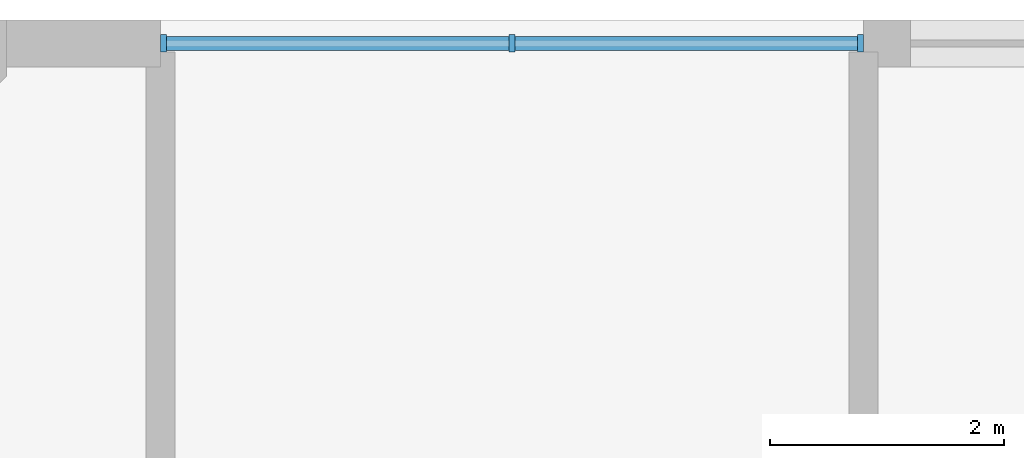
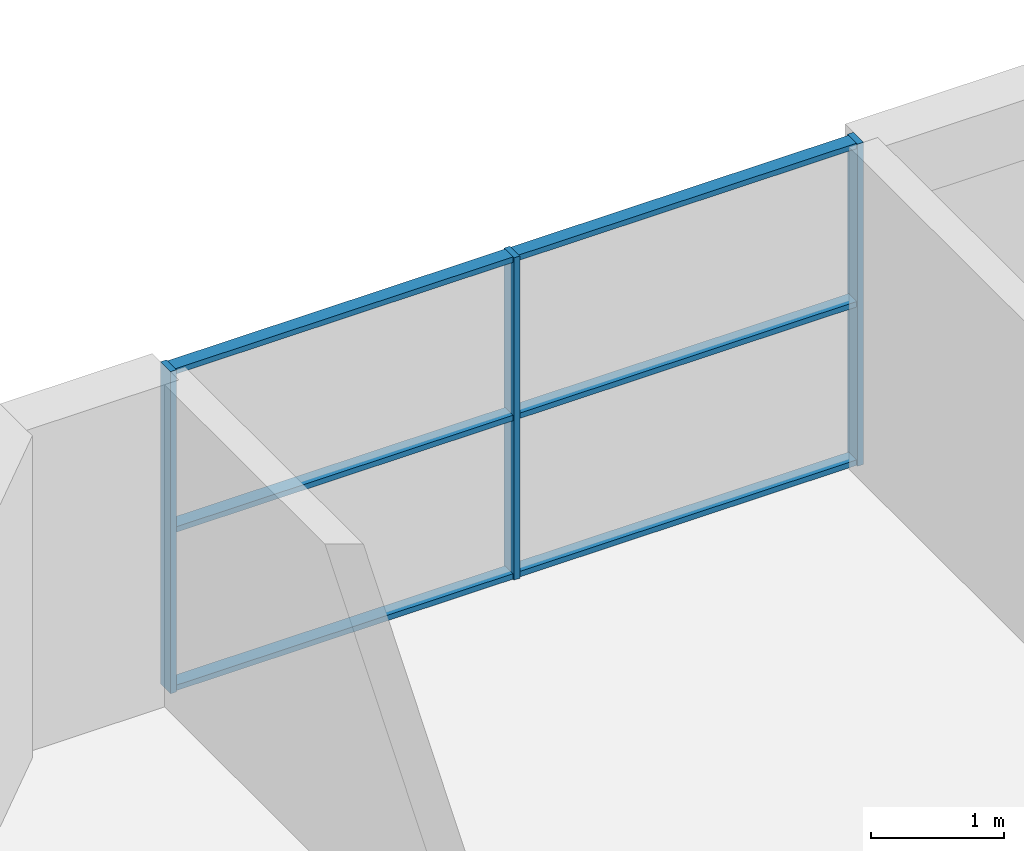
# One storey, part 2 of 13: 9 members, 1 element without a shape of its own.
"""IFC4 building model written with IfcOpenShell, lengths in metres."""

from ifc_helpers import new_model, si_unit, direction, frame, origin, origin_2d, place, context, subcontext, project, spatial, rectangle, extrude, material, layer, layer_set, material_profile, profile_set, type_object, element, aggregate, save


model = new_model("IFC4")

# Units and contexts
model_context = context("Model", 3, precision=1e-05, world=origin(), true_north=direction((0.0, 1.0)))
body_context = subcontext(model_context, "Body", "Model", "MODEL_VIEW")
ifc_project = project(units=[si_unit("LENGTHUNIT", "METRE"), si_unit("AREAUNIT", "SQUARE_METRE"), si_unit("VOLUMEUNIT", "CUBIC_METRE"), si_unit("PLANEANGLEUNIT", "RADIAN"), si_unit("MASSUNIT", "GRAM", prefix="KILO")], contexts=[model_context])

# Site, building, storey
site_placement = place(None, origin())
site = spatial("IfcSite", under=ifc_project, at=site_placement, CompositionType="ELEMENT")
building_placement = place(site_placement, origin())
building = spatial("IfcBuilding", under=site, at=building_placement, Name="Poui Terraces", CompositionType="ELEMENT")
storey_placement = place(building_placement, frame((0.0, 0.0, 211.5)))
storey = spatial("IfcBuildingStorey", under=building, at=storey_placement, Name="L59", CompositionType="ELEMENT", Elevation=211.5)

# Curtain wall, members
ifc_material_1 = material(Name="Clear glass", Category="glass")
ifc_layer = layer(ifc_material_1, 0.14990234375)
ifc_layer_set = layer_set([ifc_layer], Name="Clear glass")
curtain_wall_type = type_object("IfcCurtainWallType", Name="CURTAIN WALL CW-C COMMUNITY HALL GLAZING", PredefinedType="NOTDEFINED", material=ifc_layer_set)
curtain_wall_placement = place(storey_placement, origin())
curtain_wall = element("IfcCurtainWall", 1, at=curtain_wall_placement, inside=storey, type_object=curtain_wall_type, Name="CW-C COMMUNITY HALL GLAZING", PredefinedType="NOTDEFINED")
ifc_material_2 = material(Name="Aluminium frame", Category="aluminium")
ifc_material_profile_1 = material_profile(ifc_material_2, rectangle(XDim=0.14990234375, YDim=0.050048828125, at=origin_2d()), Name="CW-C MULLION 50X150")
ifc_profile_set_1 = profile_set([ifc_material_profile_1], Name="Aluminium frame")
member_type_1 = type_object("IfcMemberType", Name="CW-C MULLION 50X150", PredefinedType="MULLION", material=ifc_profile_set_1)
member_1_placement = place(storey_placement, frame((29.97509765625, 41.199951171875, 0.0), z_axis=(0.0, 0.0, 1.0), x_axis=(0.0, -1.0, 0.0)))
member_1 = element("IfcMember", 2, at=member_1_placement, type_object=member_type_1, Name="CW-C mullion 1", PredefinedType="MULLION", context=body_context, shape_type="SweptSolid", body=[
    extrude(rectangle(XDim=0.14990234375, YDim=0.050048828125, at=origin_2d()), origin(), (0.0, 0.0, 1.0), 2.949951171875),
])
member_2_placement = place(storey_placement, frame((27.0, 41.199951171875, 0.0), z_axis=(0.0, 0.0, 1.0), x_axis=(0.0, -1.0, 0.0)))
member_2 = element("IfcMember", 3, at=member_2_placement, type_object=member_type_1, Name="CW-C mullion 2", PredefinedType="MULLION", context=body_context, shape_type="SweptSolid", body=[
    extrude(rectangle(XDim=0.14990234375, YDim=0.050048828125, at=origin_2d()), origin(), (0.0, 0.0, 1.0), 2.949951171875),
])
member_3_placement = place(storey_placement, frame((24.02490234375, 41.199951171875, 0.0), z_axis=(0.0, 0.0, 1.0), x_axis=(0.0, -1.0, 0.0)))
member_3 = element("IfcMember", 4, at=member_3_placement, type_object=member_type_1, Name="CW-C mullion 3", PredefinedType="MULLION", context=body_context, shape_type="SweptSolid", body=[
    extrude(rectangle(XDim=0.14990234375, YDim=0.050048828125, at=origin_2d()), origin(), (0.0, 0.0, 1.0), 2.949951171875),
])
ifc_material_profile_2 = material_profile(ifc_material_2, rectangle(XDim=0.1201171875, YDim=0.050048828125, at=origin_2d()), Name="CW-C TRANSOM 50X120")
ifc_profile_set_2 = profile_set([ifc_material_profile_2], Name="Aluminium frame")
member_type_2 = type_object("IfcMemberType", Name="CW-C TRANSOM 50X120", PredefinedType="USERDEFINED", material=ifc_profile_set_2)
member_4_placement = place(storey_placement, frame((29.949951171875, 41.199951171875, 0.02490234375), z_axis=(-1.0, 0.0, 0.0), x_axis=(0.0, -1.0, 0.0)))
member_4 = element("IfcMember", 5, at=member_4_placement, type_object=member_type_2, Name="CW-C transom 1.1", ObjectType="TRANSOM", PredefinedType="USERDEFINED", context=body_context, shape_type="SweptSolid", body=[
    extrude(rectangle(XDim=0.1201171875, YDim=0.050048828125, at=origin_2d()), origin(), (0.0, 0.0, 1.0), 2.925048828125),
])
member_5_placement = place(storey_placement, frame((29.949951171875, 41.199951171875, 1.47509765625), z_axis=(-1.0, 0.0, 0.0), x_axis=(0.0, -1.0, 0.0)))
member_5 = element("IfcMember", 6, at=member_5_placement, type_object=member_type_2, Name="CW-C transom 1.2", ObjectType="TRANSOM", PredefinedType="USERDEFINED", context=body_context, shape_type="SweptSolid", body=[
    extrude(rectangle(XDim=0.1201171875, YDim=0.050048828125, at=origin_2d()), origin(), (0.0, 0.0, 1.0), 2.925048828125),
])
member_6_placement = place(storey_placement, frame((29.949951171875, 41.199951171875, 2.925048828125), z_axis=(-1.0, 0.0, 0.0), x_axis=(0.0, -1.0, 0.0)))
member_6 = element("IfcMember", 7, at=member_6_placement, type_object=member_type_2, Name="CW-C transom 1.3", ObjectType="TRANSOM", PredefinedType="USERDEFINED", context=body_context, shape_type="SweptSolid", body=[
    extrude(rectangle(XDim=0.1201171875, YDim=0.050048828125, at=origin_2d()), origin(), (0.0, 0.0, 1.0), 2.925048828125),
])
member_7_placement = place(storey_placement, frame((26.97509765625, 41.199951171875, 0.02490234375), z_axis=(-1.0, 0.0, 0.0), x_axis=(0.0, -1.0, 0.0)))
member_7 = element("IfcMember", 8, at=member_7_placement, type_object=member_type_2, Name="CW-C transom 2.1", ObjectType="TRANSOM", PredefinedType="USERDEFINED", context=body_context, shape_type="SweptSolid", body=[
    extrude(rectangle(XDim=0.1201171875, YDim=0.050048828125, at=origin_2d()), origin(), (0.0, 0.0, 1.0), 2.925048828125),
])
member_8_placement = place(storey_placement, frame((26.97509765625, 41.199951171875, 1.47509765625), z_axis=(-1.0, 0.0, 0.0), x_axis=(0.0, -1.0, 0.0)))
member_8 = element("IfcMember", 9, at=member_8_placement, type_object=member_type_2, Name="CW-C transom 2.2", ObjectType="TRANSOM", PredefinedType="USERDEFINED", context=body_context, shape_type="SweptSolid", body=[
    extrude(rectangle(XDim=0.1201171875, YDim=0.050048828125, at=origin_2d()), origin(), (0.0, 0.0, 1.0), 2.925048828125),
])
member_9_placement = place(storey_placement, frame((26.97509765625, 41.199951171875, 2.925048828125), z_axis=(-1.0, 0.0, 0.0), x_axis=(0.0, -1.0, 0.0)))
member_9 = element("IfcMember", 10, at=member_9_placement, type_object=member_type_2, Name="CW-C transom 2.3", ObjectType="TRANSOM", PredefinedType="USERDEFINED", context=body_context, shape_type="SweptSolid", body=[
    extrude(rectangle(XDim=0.1201171875, YDim=0.050048828125, at=origin_2d()), origin(), (0.0, 0.0, 1.0), 2.925048828125),
])
aggregate(curtain_wall, [member_1, member_2, member_3, member_4, member_5, member_6, member_7, member_8, member_9])

save(model, "model.ifc")
